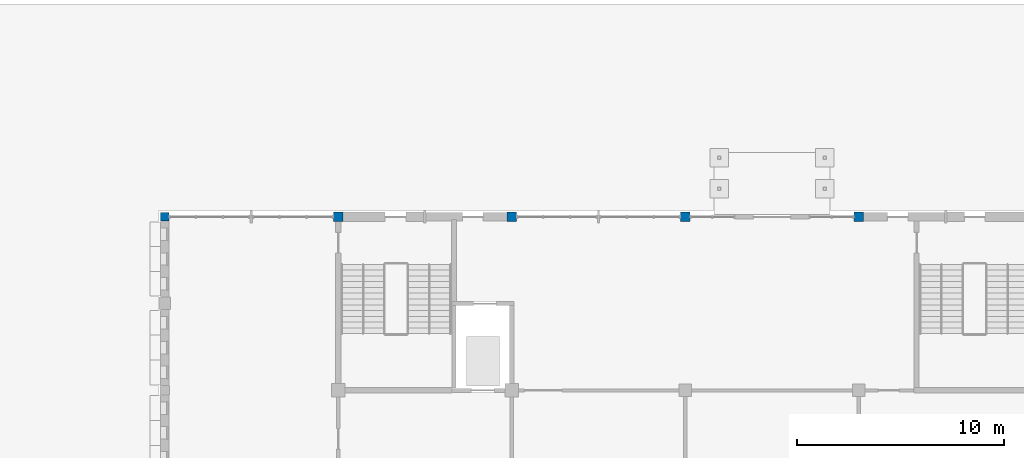
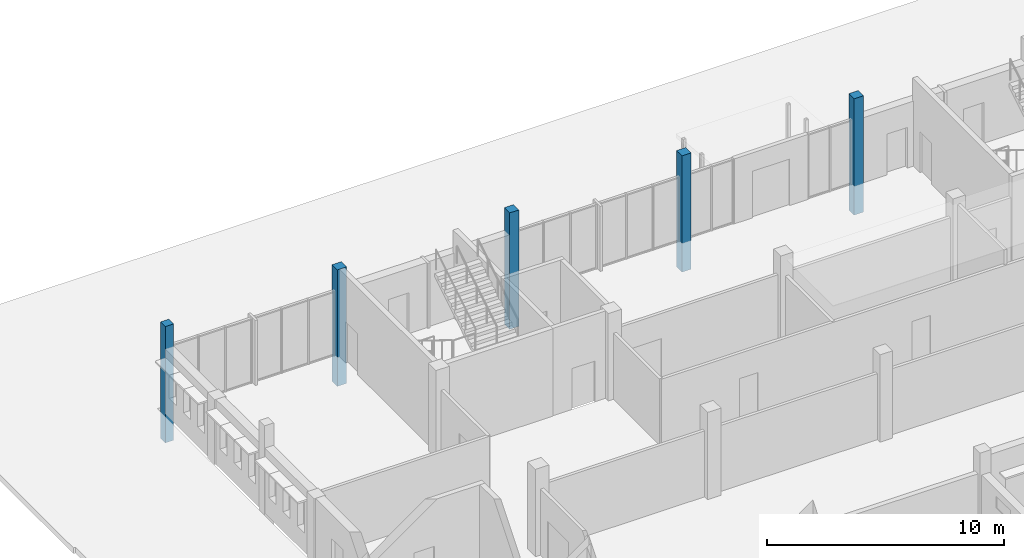
# One storey, part 5 of 101: 5 columns.
"""IFC4 building model written with IfcOpenShell, lengths in metres."""

import ifcopenshell
import ifcopenshell.guid

model = None  # the IFC model being written
_history = None  # IfcOwnerHistory: only IFC2X3 demands one
_inside = {}  # id of a spatial element -> (the spatial element, [elements in it])
_under = {}  # id of a project, library or spatial element -> (it, [spatial elements below it])
_declared = {}  # id of a project -> (the project, [libraries it declares])
_typed = {}  # id of a type object -> (the type object, [elements of that type])
_made_of = {}  # id of a material, layer set ... -> (it, [elements and type objects made of it])


def new_model(schema):
    """Start an empty IFC model of exactly this schema.

    Asked for "IFC4X3", IfcOpenShell would pick the latest addendum, in which some entities
    have other attributes; the version numbers below select the first issue.
    IFC2X3 requires an IfcOwnerHistory on every rooted entity: one is made here for all.
    """
    global model, _history
    if schema == "IFC4X3":
        model = ifcopenshell.file(schema_version=(4, 3, 0, 0))
    else:
        model = ifcopenshell.file(schema=schema)
    _inside.clear()
    _under.clear()
    _declared.clear()
    _typed.clear()
    _made_of.clear()
    _history = None
    if model.schema == "IFC2X3":
        org = make("IfcOrganization", Name="unknown")
        user = make(
            "IfcPersonAndOrganization",
            ThePerson=make("IfcPerson", FamilyName="unknown"),
            TheOrganization=org,
        )
        app = make(
            "IfcApplication",
            ApplicationDeveloper=org,
            Version="unknown",
            ApplicationFullName="unknown",
            ApplicationIdentifier="unknown",
        )
        _history = make(
            "IfcOwnerHistory",
            OwningUser=user,
            OwningApplication=app,
            ChangeAction="ADDED",
            CreationDate=0,
        )
    return model


def make(cls, **values):
    """One entity of the class cls with the attributes given. An attribute that is None is left unset."""
    return model.create_entity(
        cls, **{name: value for name, value in values.items() if value is not None}
    )


def rooted(cls, **values):
    """An entity with a GlobalId (a new one), such as an element, a storey or a relation."""
    return make(cls, GlobalId=ifcopenshell.guid.new(), OwnerHistory=_history, **values)


def si_unit(unit_type, name, prefix=None):
    """IfcSIUnit, for example si_unit("LENGTHUNIT", "METRE", prefix="MILLI")."""
    return make("IfcSIUnit", UnitType=unit_type, Prefix=prefix, Name=name)


def assignment(units):
    """IfcUnitAssignment: the units of a project."""
    return None if units is None else make("IfcUnitAssignment", Units=units)


def point(xyz):
    """IfcCartesianPoint."""
    return None if xyz is None else make("IfcCartesianPoint", Coordinates=xyz)


def direction(xyz):
    """IfcDirection."""
    return None if xyz is None else make("IfcDirection", DirectionRatios=xyz)


def frame(location, z_axis=None, x_axis=None):
    """IfcAxis2Placement3D, a coordinate frame: its origin and axes. An axis left out is left unset."""
    return make(
        "IfcAxis2Placement3D",
        Location=point(location),
        Axis=direction(z_axis),
        RefDirection=direction(x_axis),
    )


def frame_2d(location, x_axis=None):
    """IfcAxis2Placement2D, a coordinate frame in the plane: its origin and x axis."""
    return make(
        "IfcAxis2Placement2D", Location=point(location), RefDirection=direction(x_axis)
    )


def origin():
    """The frame at (0, 0, 0) with its axes left unset."""
    return frame((0.0, 0.0, 0.0))


def origin_2d():
    """The frame at (0, 0) in the plane with its x axis left unset."""
    return frame_2d((0.0, 0.0))


def place(relative_to, where):
    """IfcLocalPlacement: puts the frame where relative to a parent placement (None: the world)."""
    return make(
        "IfcLocalPlacement", PlacementRelTo=relative_to, RelativePlacement=where
    )


def context(
    kind, dimensions, precision=None, world=None, true_north=None, identifier=None
):
    """IfcGeometricRepresentationContext, for example the 3D "Model" context."""
    return make(
        "IfcGeometricRepresentationContext",
        ContextIdentifier=identifier,
        ContextType=kind,
        CoordinateSpaceDimension=dimensions,
        Precision=precision,
        WorldCoordinateSystem=world,
        TrueNorth=true_north,
    )


def subcontext(parent, identifier, kind, view, scale=None):
    """IfcGeometricRepresentationSubContext, for example "Body" below "Model"."""
    return make(
        "IfcGeometricRepresentationSubContext",
        ContextIdentifier=identifier,
        ContextType=kind,
        ParentContext=parent,
        TargetScale=scale,
        TargetView=view,
    )


def project(units=None, contexts=None):
    """IfcProject with its units and contexts."""
    return rooted(
        "IfcProject",
        Name="project",
        RepresentationContexts=contexts,
        UnitsInContext=assignment(units),
    )


def spatial(cls, under=None, at=None, **own):
    """A site, building, storey or space (cls), placed at a placement, below another one or the project."""
    s = rooted(cls, ObjectPlacement=at, **own)
    if under is not None:
        _under.setdefault(under.id(), (under, []))[1].append(s)
    return s


def profile(cls, at=None, kind="AREA", **sizes):
    """A parametric profile (cls). Its sizes go by their IFC names, for example OverallWidth=200.0."""
    return make(cls, ProfileType=kind, Position=at, **sizes)


def rectangle(**sizes):
    """IfcRectangleProfileDef."""
    return profile("IfcRectangleProfileDef", **sizes)


def extrude(swept, where, along, depth):
    """IfcExtrudedAreaSolid: the profile swept, set in the frame where, extruded along a direction by depth."""
    return make(
        "IfcExtrudedAreaSolid",
        SweptArea=swept,
        Position=where,
        ExtrudedDirection=direction(along),
        Depth=depth,
    )


def shape(context_of_items, identifier, shape_type, items):
    """IfcShapeRepresentation: the items that make up one representation, for example the "Body"."""
    return make(
        "IfcShapeRepresentation",
        ContextOfItems=context_of_items,
        RepresentationIdentifier=identifier,
        RepresentationType=shape_type,
        Items=items,
    )


def material(Name=None, Category=None):
    """IfcMaterial."""
    return make("IfcMaterial", Name=Name, Category=Category)


def material_profile(
    of_material, cross_section, Name=None, Category=None, Priority=None
):
    """IfcMaterialProfile: a cross section and its material."""
    return make(
        "IfcMaterialProfile",
        Name=Name,
        Material=of_material,
        Profile=cross_section,
        Priority=Priority,
        Category=Category,
    )


def profile_set(profiles, Name=None, composite=None):
    """IfcMaterialProfileSet."""
    return make(
        "IfcMaterialProfileSet",
        Name=Name,
        MaterialProfiles=profiles,
        CompositeProfile=composite,
    )


def made_of(thing, what):
    """Note that an element or type object is made of a material, layer set ...; save() writes the relation."""
    if what is not None:
        _made_of.setdefault(what.id(), (what, []))[1].append(thing)
    return thing


def type_object(cls, material=None, **own):
    """A type object (cls), such as IfcWallType, which elements share."""
    return made_of(rooted(cls, **own), material)


def element(
    cls,
    number,
    at=None,
    inside=None,
    cuts=None,
    type_object=None,
    material=None,
    context=None,
    identifier="Body",
    shape_type=None,
    held_by="IfcProductDefinitionShape",
    body=None,
    shapes=None,
    **own,
):
    """One element of the class cls, such as IfcWall. Its Tag is "e" and its number.

    at: its placement. inside: the storey or other place that contains it. cuts: it is an
    opening in that element (IfcRelVoidsElement). A single representation is given by context,
    identifier, shape_type and body (its items); several are given by shapes. held_by: the class
    of the entity that holds the representations. save() writes the other relations.
    """
    e = rooted(cls, Tag="e%d" % number, ObjectPlacement=at, **own)
    if body is not None:
        shapes = [shape(context, identifier, shape_type, body)]
    if shapes is not None:
        e.Representation = make(held_by, Representations=shapes)
    if inside is not None:
        _inside.setdefault(inside.id(), (inside, []))[1].append(e)
    if cuts is not None:
        rooted(
            "IfcRelVoidsElement", RelatingBuildingElement=cuts, RelatedOpeningElement=e
        )
    if type_object is not None:
        _typed.setdefault(type_object.id(), (type_object, []))[1].append(e)
    return made_of(e, material)


def aggregate(whole, parts):
    """IfcRelAggregates: a whole, such as a stair, and the parts it consists of."""
    return rooted("IfcRelAggregates", RelatingObject=whole, RelatedObjects=parts)


def save(model, path):
    """Write the relations noted so far, then the file.

    IfcRelAggregates (storeys below a building ...), IfcRelContainedInSpatialStructure (elements
    in a storey), IfcRelDefinesByType, IfcRelAssociatesMaterial and IfcRelDeclares: one each for
    every whole, place, type object, material and project.
    """
    for whole, parts in _under.values():
        aggregate(whole, parts)
    for where, things in _inside.values():
        rooted(
            "IfcRelContainedInSpatialStructure",
            RelatedElements=things,
            RelatingStructure=where,
        )
    for kind, things in _typed.values():
        rooted("IfcRelDefinesByType", RelatedObjects=things, RelatingType=kind)
    for what, things in _made_of.values():
        rooted("IfcRelAssociatesMaterial", RelatedObjects=things, RelatingMaterial=what)
    for by, libraries in _declared.values():
        rooted("IfcRelDeclares", RelatingContext=by, RelatedDefinitions=libraries)
    model.write(path)


model = new_model("IFC4")

# Units and contexts
model_context = context("Model", 3, precision=1e-05, world=origin(), true_north=direction((0.0, 1.0)))
body_context = subcontext(model_context, "Body", "Model", "MODEL_VIEW")
ifc_project = project(units=[si_unit("LENGTHUNIT", "METRE"), si_unit("AREAUNIT", "SQUARE_METRE"), si_unit("VOLUMEUNIT", "CUBIC_METRE"), si_unit("PLANEANGLEUNIT", "RADIAN"), si_unit("MASSUNIT", "GRAM", prefix="KILO")], contexts=[model_context])

# Site, building, storey
site_placement = place(None, origin())
site = spatial("IfcSite", under=ifc_project, at=site_placement, CompositionType="ELEMENT")
building_placement = place(site_placement, origin())
building = spatial("IfcBuilding", under=site, at=building_placement, Name="Fescue Hill Polytechnic", CompositionType="ELEMENT")
storey_placement = place(building_placement, frame((0.0, 0.0, 9.0)))
storey = spatial("IfcBuildingStorey", under=building, at=storey_placement, Name="L02", CompositionType="ELEMENT", Elevation=9.0)

# Columns
ifc_material = material(Name="Concrete 40 MPa", Category="concrete")
ifc_material_profile_1 = material_profile(ifc_material, rectangle(XDim=0.39990234375, YDim=0.39990234375, at=origin_2d()), Name="RC 400x400")
ifc_profile_set_1 = profile_set([ifc_material_profile_1], Name="Concrete 40 MPa")
column_type_1 = type_object("IfcColumnType", Name="Column RC 400x400", PredefinedType="COLUMN", material=ifc_profile_set_1)
column_placement = place(storey_placement, frame((0.0, 134.39990234375, -1.5), z_axis=(0.0, 0.0, 1.0), x_axis=(1.0, 0.0, 0.0)))
element("IfcColumn", 1, at=column_placement, inside=storey, type_object=column_type_1, Name="COL-L02-V5-003", PredefinedType="COLUMN", context=body_context, shape_type="SweptSolid", body=[
    extrude(rectangle(XDim=0.39990234375, YDim=0.39990234375, at=origin_2d()), origin(), (0.0, 0.0, 1.0), 6.0),
])
ifc_material_profile_2 = material_profile(ifc_material, rectangle(XDim=0.449951171875, YDim=0.449951171875, at=origin_2d()), Name="RC 450x450")
ifc_profile_set_2 = profile_set([ifc_material_profile_2], Name="Concrete 40 MPa")
column_type_2 = type_object("IfcColumnType", Name="Column RC 450x450", PredefinedType="COLUMN", material=ifc_profile_set_2)
for number, where, z_axis, x_axis, name in (
    (2, (8.39990234375, 134.39990234375, -1.5), (0.0, 0.0, 1.0), (1.0, 0.0, 0.0), "COL-L02-V5-006"),
    (3, (16.800048828125, 134.39990234375, -1.5), (0.0, 0.0, 1.0), (1.0, 0.0, 0.0), "COL-L02-V5-009"),
    (4, (25.199951171875, 134.39990234375, -1.5), (0.0, 0.0, 1.0), (1.0, 0.0, 0.0), "COL-L02-V5-012"),
    (5, (33.60009765625, 134.39990234375, -1.5), (0.0, 0.0, 1.0), (1.0, 0.0, 0.0), "COL-L02-V5-016"),
):
    element("IfcColumn", number, at=place(storey_placement, frame(where, z_axis=z_axis, x_axis=x_axis)), inside=storey, type_object=column_type_2, Name=name, PredefinedType="COLUMN", context=body_context, shape_type="SweptSolid", body=[
        extrude(rectangle(XDim=0.449951171875, YDim=0.449951171875, at=origin_2d()), origin(), (0.0, 0.0, 1.0), 6.0),
    ])

save(model, "model.ifc")
